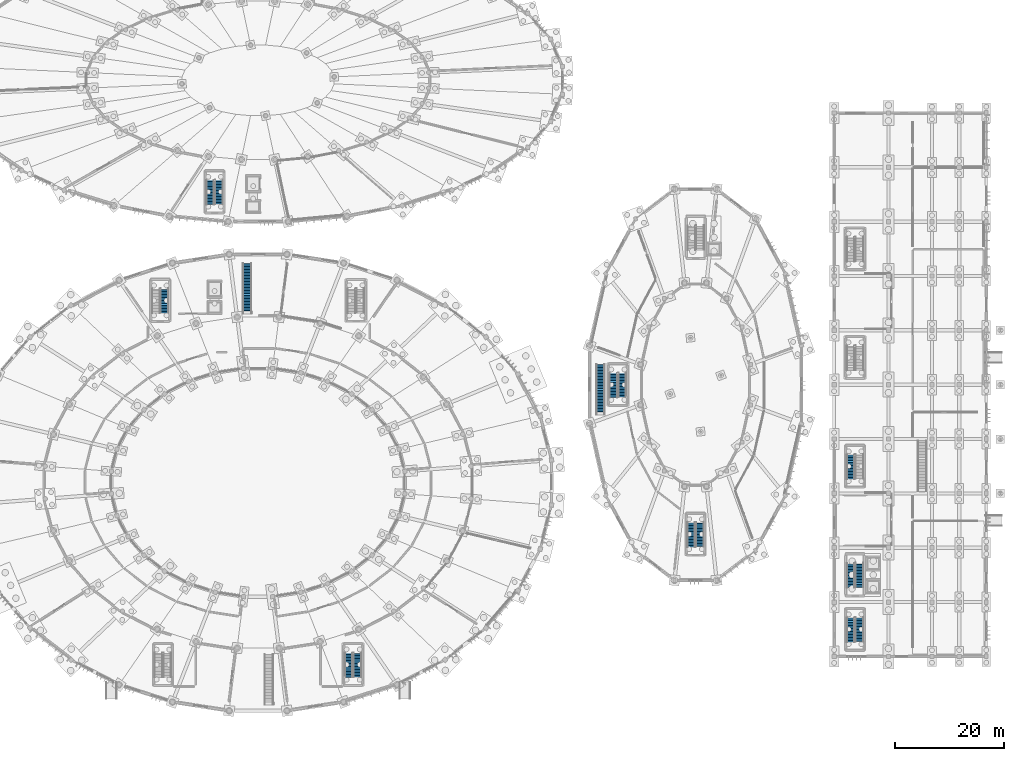
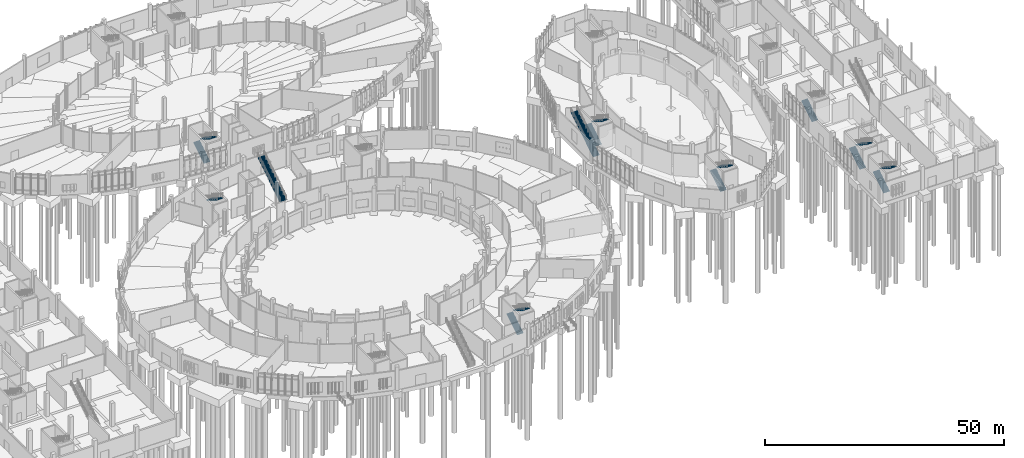
# One storey, part 97 of 140: 16 stair flights, 10 elements without a shape of their own.
"""IFC4 building model written with IfcOpenShell, lengths in metres."""

from ifc_helpers import new_model, si_unit, direction, frame, origin, place, context, subcontext, project, spatial, polyline, outline, extrude, material, layer, layer_set, type_object, element, aggregate, save


model = new_model("IFC4")

# Units and contexts
model_context = context("Model", 3, precision=1e-05, world=origin(), true_north=direction((0.0, 1.0)))
body_context = subcontext(model_context, "Body", "Model", "MODEL_VIEW")
ifc_project = project(units=[si_unit("LENGTHUNIT", "METRE"), si_unit("AREAUNIT", "SQUARE_METRE"), si_unit("VOLUMEUNIT", "CUBIC_METRE"), si_unit("PLANEANGLEUNIT", "RADIAN"), si_unit("MASSUNIT", "GRAM", prefix="KILO")], contexts=[model_context])

# Site, building, storey
site_placement = place(None, origin())
site = spatial("IfcSite", under=ifc_project, at=site_placement, CompositionType="ELEMENT")
building_placement = place(site_placement, origin())
building = spatial("IfcBuilding", under=site, at=building_placement, Name="Corvandel Quay Wholesale Market", CompositionType="ELEMENT")
storey_placement = place(building_placement, origin())
storey = spatial("IfcBuildingStorey", under=building, at=storey_placement, Name="L00", CompositionType="ELEMENT", Elevation=0.0)

# Stair, stair flight
ifc_material = material(Name="Concrete C40/50", Category="concrete")
stair_type_1 = type_object("IfcStairType", Name="Exit Stair Two-Return L00-L01 ST01", PredefinedType="USERDEFINED", material=ifc_material)
stair_1_placement = place(storey_placement, origin())
stair_1 = element("IfcStair", 1, at=stair_1_placement, inside=storey, type_object=stair_type_1, Name="Exit Stair STR-001", ObjectType="TWO_RETURN_STAIR", PredefinedType="USERDEFINED")
ifc_layer_1 = layer(ifc_material, 0.199951171875)
ifc_layer_set_1 = layer_set([ifc_layer_1], Name="Concrete C40/50")
stair_flight_type_1 = type_object("IfcStairFlightType", Name="Precast Stair Flight FL01 W1480", PredefinedType="STRAIGHT", material=ifc_layer_set_1)
stair_flight_1_placement = place(storey_placement, frame((96.800048828125, 77.699951171875, 3.0), z_axis=(0.0, 0.0, 1.0), x_axis=(0.0, -1.0, 0.0)))
stair_flight_1 = element("IfcStairFlight", 2, at=stair_flight_1_placement, type_object=stair_flight_type_1, Name="Stair Flight STR-001-F2", NumberOfRisers=17, NumberOfTreads=16, PredefinedType="STRAIGHT", RiserHeight=0.176471, TreadLength=0.28, context=body_context, shape_type="SweptSolid", body=[
    extrude(outline(polyline([(0.0, 0.0), (0.0, 0.176513671875), (0.280029296875, 0.176513671875), (0.280029296875, 0.35302734375), (0.56005859375, 0.35302734375), (0.56005859375, 0.529296875), (0.840087890625, 0.529296875), (0.840087890625, 0.705810546875), (1.1201171875, 0.705810546875), (1.1201171875, 0.88232421875), (1.39990234375, 0.88232421875), (1.39990234375, 1.058837890625), (1.679931640625, 1.058837890625), (1.679931640625, 1.2353515625), (1.9599609375, 1.2353515625), (1.9599609375, 1.411865234375), (2.239990234375, 1.411865234375), (2.239990234375, 1.588134765625), (2.52001953125, 1.588134765625), (2.52001953125, 1.7646484375), (2.800048828125, 1.7646484375), (2.800048828125, 1.941162109375), (3.080078125, 1.941162109375), (3.080078125, 2.11767578125), (3.360107421875, 2.11767578125), (3.360107421875, 2.294189453125), (3.639892578125, 2.294189453125), (3.639892578125, 2.470703125), (3.919921875, 2.470703125), (3.919921875, 2.64697265625), (4.199951171875, 2.64697265625), (4.199951171875, 2.823486328125), (4.47998046875, 2.823486328125), (4.47998046875, 3.0), (4.47998046875, 2.646240234375), (0.28125, 0.0), (0.0, 0.0)])), frame((0.0, 0.739990234375, 0.0), z_axis=(0.0, -1.0, 0.0), x_axis=(1.0, 0.0, 0.0)), (0.0, 0.0, 1.0), 1.47998046875),
])
aggregate(stair_1, [stair_flight_1])

# Stair, stair flights
stair_2_placement = place(storey_placement, origin())
stair_2 = element("IfcStair", 3, at=stair_2_placement, inside=storey, type_object=stair_type_1, Name="Exit Stair STR-007", ObjectType="TWO_RETURN_STAIR", PredefinedType="USERDEFINED")
stair_flight_2_placement = place(storey_placement, frame((130.699951171875, 6.14990234375, 0.0), z_axis=(0.0, 0.0, 1.0), x_axis=(0.0, 1.0, 0.0)))
stair_flight_2 = element("IfcStairFlight", 4, at=stair_flight_2_placement, type_object=stair_flight_type_1, Name="Stair Flight STR-007-F1", NumberOfRisers=17, NumberOfTreads=16, PredefinedType="STRAIGHT", RiserHeight=0.176471, TreadLength=0.28, context=body_context, shape_type="SweptSolid", body=[
    extrude(outline(polyline([(0.0, 0.0), (0.0, 0.176513671875), (0.280029296875, 0.176513671875), (0.280029296875, 0.35302734375), (0.56005859375, 0.35302734375), (0.56005859375, 0.529296875), (0.840087890625, 0.529296875), (0.840087890625, 0.705810546875), (1.1201171875, 0.705810546875), (1.1201171875, 0.88232421875), (1.39990234375, 0.88232421875), (1.39990234375, 1.058837890625), (1.679931640625, 1.058837890625), (1.679931640625, 1.2353515625), (1.9599609375, 1.2353515625), (1.9599609375, 1.411865234375), (2.239990234375, 1.411865234375), (2.239990234375, 1.588134765625), (2.52001953125, 1.588134765625), (2.52001953125, 1.7646484375), (2.800048828125, 1.7646484375), (2.800048828125, 1.941162109375), (3.080078125, 1.941162109375), (3.080078125, 2.11767578125), (3.360107421875, 2.11767578125), (3.360107421875, 2.294189453125), (3.639892578125, 2.294189453125), (3.639892578125, 2.470703125), (3.919921875, 2.470703125), (3.919921875, 2.64697265625), (4.199951171875, 2.64697265625), (4.199951171875, 2.823486328125), (4.47998046875, 2.823486328125), (4.47998046875, 3.0), (4.47998046875, 2.646240234375), (0.28125, 0.0), (0.0, 0.0)])), frame((0.0, 0.739990234375, 0.0), z_axis=(0.0, -1.0, 0.0), x_axis=(1.0, 0.0, 0.0)), (0.0, 0.0, 1.0), 1.47998046875),
])
stair_flight_3_placement = place(storey_placement, frame((132.300048828125, 10.699951171875, 3.0), z_axis=(0.0, 0.0, 1.0), x_axis=(0.0, -1.0, 0.0)))
stair_flight_3 = element("IfcStairFlight", 5, at=stair_flight_3_placement, type_object=stair_flight_type_1, Name="Stair Flight STR-007-F2", NumberOfRisers=17, NumberOfTreads=16, PredefinedType="STRAIGHT", RiserHeight=0.176471, TreadLength=0.28, context=body_context, shape_type="SweptSolid", body=[
    extrude(outline(polyline([(0.0, 0.0), (0.0, 0.176513671875), (0.280029296875, 0.176513671875), (0.280029296875, 0.35302734375), (0.56005859375, 0.35302734375), (0.56005859375, 0.529296875), (0.840087890625, 0.529296875), (0.840087890625, 0.705810546875), (1.1201171875, 0.705810546875), (1.1201171875, 0.88232421875), (1.39990234375, 0.88232421875), (1.39990234375, 1.058837890625), (1.679931640625, 1.058837890625), (1.679931640625, 1.2353515625), (1.9599609375, 1.2353515625), (1.9599609375, 1.411865234375), (2.239990234375, 1.411865234375), (2.239990234375, 1.588134765625), (2.52001953125, 1.588134765625), (2.52001953125, 1.7646484375), (2.800048828125, 1.7646484375), (2.800048828125, 1.941162109375), (3.080078125, 1.941162109375), (3.080078125, 2.11767578125), (3.360107421875, 2.11767578125), (3.360107421875, 2.294189453125), (3.639892578125, 2.294189453125), (3.639892578125, 2.470703125), (3.919921875, 2.470703125), (3.919921875, 2.64697265625), (4.199951171875, 2.64697265625), (4.199951171875, 2.823486328125), (4.47998046875, 2.823486328125), (4.47998046875, 3.0), (4.47998046875, 2.646240234375), (0.28125, 0.0), (0.0, 0.0)])), frame((0.0, 0.739990234375, 0.0), z_axis=(0.0, -1.0, 0.0), x_axis=(1.0, 0.0, 0.0)), (0.0, 0.0, 1.0), 1.47998046875),
])
aggregate(stair_2, [stair_flight_2, stair_flight_3])

stair_3_placement = place(storey_placement, origin())
stair_3 = element("IfcStair", 6, at=stair_3_placement, inside=storey, type_object=stair_type_1, Name="Exit Stair STR-009", ObjectType="TWO_RETURN_STAIR", PredefinedType="USERDEFINED")
stair_flight_4_placement = place(storey_placement, frame((105.199951171875, 93.14990234375, 0.0), z_axis=(0.0, 0.0, 1.0), x_axis=(0.0, 1.0, 0.0)))
stair_flight_4 = element("IfcStairFlight", 7, at=stair_flight_4_placement, type_object=stair_flight_type_1, Name="Stair Flight STR-009-F1", NumberOfRisers=17, NumberOfTreads=16, PredefinedType="STRAIGHT", RiserHeight=0.176471, TreadLength=0.28, context=body_context, shape_type="SweptSolid", body=[
    extrude(outline(polyline([(0.0, 0.0), (0.0, 0.176513671875), (0.280029296875, 0.176513671875), (0.280029296875, 0.35302734375), (0.56005859375, 0.35302734375), (0.56005859375, 0.529296875), (0.840087890625, 0.529296875), (0.840087890625, 0.705810546875), (1.1201171875, 0.705810546875), (1.1201171875, 0.88232421875), (1.39990234375, 0.88232421875), (1.39990234375, 1.058837890625), (1.679931640625, 1.058837890625), (1.679931640625, 1.2353515625), (1.9599609375, 1.2353515625), (1.9599609375, 1.411865234375), (2.239990234375, 1.411865234375), (2.239990234375, 1.588134765625), (2.52001953125, 1.588134765625), (2.52001953125, 1.7646484375), (2.800048828125, 1.7646484375), (2.800048828125, 1.941162109375), (3.080078125, 1.941162109375), (3.080078125, 2.11767578125), (3.360107421875, 2.11767578125), (3.360107421875, 2.294189453125), (3.639892578125, 2.294189453125), (3.639892578125, 2.470703125), (3.919921875, 2.470703125), (3.919921875, 2.64697265625), (4.199951171875, 2.64697265625), (4.199951171875, 2.823486328125), (4.47998046875, 2.823486328125), (4.47998046875, 3.0), (4.47998046875, 2.646240234375), (0.28125, 0.0), (0.0, 0.0)])), frame((0.0, 0.739990234375, 0.0), z_axis=(0.0, -1.0, 0.0), x_axis=(1.0, 0.0, 0.0)), (0.0, 0.0, 1.0), 1.47998046875),
])
stair_flight_5_placement = place(storey_placement, frame((106.800048828125, 97.699951171875, 3.0), z_axis=(0.0, 0.0, 1.0), x_axis=(0.0, -1.0, 0.0)))
stair_flight_5 = element("IfcStairFlight", 8, at=stair_flight_5_placement, type_object=stair_flight_type_1, Name="Stair Flight STR-009-F2", NumberOfRisers=17, NumberOfTreads=16, PredefinedType="STRAIGHT", RiserHeight=0.176471, TreadLength=0.28, context=body_context, shape_type="SweptSolid", body=[
    extrude(outline(polyline([(0.0, 0.0), (0.0, 0.176513671875), (0.280029296875, 0.176513671875), (0.280029296875, 0.35302734375), (0.56005859375, 0.35302734375), (0.56005859375, 0.529296875), (0.840087890625, 0.529296875), (0.840087890625, 0.705810546875), (1.1201171875, 0.705810546875), (1.1201171875, 0.88232421875), (1.39990234375, 0.88232421875), (1.39990234375, 1.058837890625), (1.679931640625, 1.058837890625), (1.679931640625, 1.2353515625), (1.9599609375, 1.2353515625), (1.9599609375, 1.411865234375), (2.239990234375, 1.411865234375), (2.239990234375, 1.588134765625), (2.52001953125, 1.588134765625), (2.52001953125, 1.7646484375), (2.800048828125, 1.7646484375), (2.800048828125, 1.941162109375), (3.080078125, 1.941162109375), (3.080078125, 2.11767578125), (3.360107421875, 2.11767578125), (3.360107421875, 2.294189453125), (3.639892578125, 2.294189453125), (3.639892578125, 2.470703125), (3.919921875, 2.470703125), (3.919921875, 2.64697265625), (4.199951171875, 2.64697265625), (4.199951171875, 2.823486328125), (4.47998046875, 2.823486328125), (4.47998046875, 3.0), (4.47998046875, 2.646240234375), (0.28125, 0.0), (0.0, 0.0)])), frame((0.0, 0.739990234375, 0.0), z_axis=(0.0, -1.0, 0.0), x_axis=(1.0, 0.0, 0.0)), (0.0, 0.0, 1.0), 1.47998046875),
])
aggregate(stair_3, [stair_flight_4, stair_flight_5])

stair_4_placement = place(storey_placement, origin())
stair_4 = element("IfcStair", 9, at=stair_4_placement, inside=storey, type_object=stair_type_1, Name="Exit Stair STR-015", ObjectType="TWO_RETURN_STAIR", PredefinedType="USERDEFINED")
stair_flight_6_placement = place(storey_placement, frame((193.699951171875, 30.14990234375, 0.0), z_axis=(0.0, 0.0, 1.0), x_axis=(0.0, 1.0, 0.0)))
stair_flight_6 = element("IfcStairFlight", 10, at=stair_flight_6_placement, type_object=stair_flight_type_1, Name="Stair Flight STR-015-F1", NumberOfRisers=17, NumberOfTreads=16, PredefinedType="STRAIGHT", RiserHeight=0.176471, TreadLength=0.28, context=body_context, shape_type="SweptSolid", body=[
    extrude(outline(polyline([(0.0, 0.0), (0.0, 0.176513671875), (0.280029296875, 0.176513671875), (0.280029296875, 0.35302734375), (0.56005859375, 0.35302734375), (0.56005859375, 0.529296875), (0.840087890625, 0.529296875), (0.840087890625, 0.705810546875), (1.1201171875, 0.705810546875), (1.1201171875, 0.88232421875), (1.39990234375, 0.88232421875), (1.39990234375, 1.058837890625), (1.679931640625, 1.058837890625), (1.679931640625, 1.2353515625), (1.9599609375, 1.2353515625), (1.9599609375, 1.411865234375), (2.239990234375, 1.411865234375), (2.239990234375, 1.588134765625), (2.52001953125, 1.588134765625), (2.52001953125, 1.7646484375), (2.800048828125, 1.7646484375), (2.800048828125, 1.941162109375), (3.080078125, 1.941162109375), (3.080078125, 2.11767578125), (3.360107421875, 2.11767578125), (3.360107421875, 2.294189453125), (3.639892578125, 2.294189453125), (3.639892578125, 2.470703125), (3.919921875, 2.470703125), (3.919921875, 2.64697265625), (4.199951171875, 2.64697265625), (4.199951171875, 2.823486328125), (4.47998046875, 2.823486328125), (4.47998046875, 3.0), (4.47998046875, 2.646240234375), (0.28125, 0.0), (0.0, 0.0)])), frame((0.0, 0.739990234375, 0.0), z_axis=(0.0, -1.0, 0.0), x_axis=(1.0, 0.0, 0.0)), (0.0, 0.0, 1.0), 1.47998046875),
])
stair_flight_7_placement = place(storey_placement, frame((195.300048828125, 34.699951171875, 3.0), z_axis=(0.0, 0.0, 1.0), x_axis=(0.0, -1.0, 0.0)))
stair_flight_7 = element("IfcStairFlight", 11, at=stair_flight_7_placement, type_object=stair_flight_type_1, Name="Stair Flight STR-015-F2", NumberOfRisers=17, NumberOfTreads=16, PredefinedType="STRAIGHT", RiserHeight=0.176471, TreadLength=0.28, context=body_context, shape_type="SweptSolid", body=[
    extrude(outline(polyline([(0.0, 0.0), (0.0, 0.176513671875), (0.280029296875, 0.176513671875), (0.280029296875, 0.35302734375), (0.56005859375, 0.35302734375), (0.56005859375, 0.529296875), (0.840087890625, 0.529296875), (0.840087890625, 0.705810546875), (1.1201171875, 0.705810546875), (1.1201171875, 0.88232421875), (1.39990234375, 0.88232421875), (1.39990234375, 1.058837890625), (1.679931640625, 1.058837890625), (1.679931640625, 1.2353515625), (1.9599609375, 1.2353515625), (1.9599609375, 1.411865234375), (2.239990234375, 1.411865234375), (2.239990234375, 1.588134765625), (2.52001953125, 1.588134765625), (2.52001953125, 1.7646484375), (2.800048828125, 1.7646484375), (2.800048828125, 1.941162109375), (3.080078125, 1.941162109375), (3.080078125, 2.11767578125), (3.360107421875, 2.11767578125), (3.360107421875, 2.294189453125), (3.639892578125, 2.294189453125), (3.639892578125, 2.470703125), (3.919921875, 2.470703125), (3.919921875, 2.64697265625), (4.199951171875, 2.64697265625), (4.199951171875, 2.823486328125), (4.47998046875, 2.823486328125), (4.47998046875, 3.0), (4.47998046875, 2.646240234375), (0.28125, 0.0), (0.0, 0.0)])), frame((0.0, 0.739990234375, 0.0), z_axis=(0.0, -1.0, 0.0), x_axis=(1.0, 0.0, 0.0)), (0.0, 0.0, 1.0), 1.47998046875),
])
aggregate(stair_4, [stair_flight_6, stair_flight_7])

stair_5_placement = place(storey_placement, origin())
stair_5 = element("IfcStair", 12, at=stair_5_placement, inside=storey, type_object=stair_type_1, Name="Exit Stair STR-017", ObjectType="TWO_RETURN_STAIR", PredefinedType="USERDEFINED")
stair_flight_8_placement = place(storey_placement, frame((179.39990234375, 57.64990234375, 0.0), z_axis=(0.0, 0.0, 1.0), x_axis=(0.0, 1.0, 0.0)))
stair_flight_8 = element("IfcStairFlight", 13, at=stair_flight_8_placement, type_object=stair_flight_type_1, Name="Stair Flight STR-017-F1", NumberOfRisers=17, NumberOfTreads=16, PredefinedType="STRAIGHT", RiserHeight=0.176471, TreadLength=0.28, context=body_context, shape_type="SweptSolid", body=[
    extrude(outline(polyline([(0.0, 0.0), (0.0, 0.176513671875), (0.280029296875, 0.176513671875), (0.280029296875, 0.35302734375), (0.56005859375, 0.35302734375), (0.56005859375, 0.529296875), (0.840087890625, 0.529296875), (0.840087890625, 0.705810546875), (1.1201171875, 0.705810546875), (1.1201171875, 0.88232421875), (1.39990234375, 0.88232421875), (1.39990234375, 1.058837890625), (1.679931640625, 1.058837890625), (1.679931640625, 1.2353515625), (1.9599609375, 1.2353515625), (1.9599609375, 1.411865234375), (2.239990234375, 1.411865234375), (2.239990234375, 1.588134765625), (2.52001953125, 1.588134765625), (2.52001953125, 1.7646484375), (2.800048828125, 1.7646484375), (2.800048828125, 1.941162109375), (3.080078125, 1.941162109375), (3.080078125, 2.11767578125), (3.360107421875, 2.11767578125), (3.360107421875, 2.294189453125), (3.639892578125, 2.294189453125), (3.639892578125, 2.470703125), (3.919921875, 2.470703125), (3.919921875, 2.64697265625), (4.199951171875, 2.64697265625), (4.199951171875, 2.823486328125), (4.47998046875, 2.823486328125), (4.47998046875, 3.0), (4.47998046875, 2.646240234375), (0.28125, 0.0), (0.0, 0.0)])), frame((0.0, 0.739990234375, 0.0), z_axis=(0.0, -1.0, 0.0), x_axis=(1.0, 0.0, 0.0)), (0.0, 0.0, 1.0), 1.47998046875),
])
stair_flight_9_placement = place(storey_placement, frame((181.0, 62.199951171875, 3.0), z_axis=(0.0, 0.0, 1.0), x_axis=(0.0, -1.0, 0.0)))
stair_flight_9 = element("IfcStairFlight", 14, at=stair_flight_9_placement, type_object=stair_flight_type_1, Name="Stair Flight STR-017-F2", NumberOfRisers=17, NumberOfTreads=16, PredefinedType="STRAIGHT", RiserHeight=0.176471, TreadLength=0.28, context=body_context, shape_type="SweptSolid", body=[
    extrude(outline(polyline([(0.0, 0.0), (0.0, 0.176513671875), (0.280029296875, 0.176513671875), (0.280029296875, 0.35302734375), (0.56005859375, 0.35302734375), (0.56005859375, 0.529296875), (0.840087890625, 0.529296875), (0.840087890625, 0.705810546875), (1.1201171875, 0.705810546875), (1.1201171875, 0.88232421875), (1.39990234375, 0.88232421875), (1.39990234375, 1.058837890625), (1.679931640625, 1.058837890625), (1.679931640625, 1.2353515625), (1.9599609375, 1.2353515625), (1.9599609375, 1.411865234375), (2.239990234375, 1.411865234375), (2.239990234375, 1.588134765625), (2.52001953125, 1.588134765625), (2.52001953125, 1.7646484375), (2.800048828125, 1.7646484375), (2.800048828125, 1.941162109375), (3.080078125, 1.941162109375), (3.080078125, 2.11767578125), (3.360107421875, 2.11767578125), (3.360107421875, 2.294189453125), (3.639892578125, 2.294189453125), (3.639892578125, 2.470703125), (3.919921875, 2.470703125), (3.919921875, 2.64697265625), (4.199951171875, 2.64697265625), (4.199951171875, 2.823486328125), (4.47998046875, 2.823486328125), (4.47998046875, 3.0), (4.47998046875, 2.646240234375), (0.28125, 0.0), (0.0, 0.0)])), frame((0.0, 0.739990234375, 0.0), z_axis=(0.0, -1.0, 0.0), x_axis=(1.0, 0.0, 0.0)), (0.0, 0.0, 1.0), 1.47998046875),
])
aggregate(stair_5, [stair_flight_8, stair_flight_9])

stair_6_placement = place(storey_placement, origin())
stair_6 = element("IfcStair", 15, at=stair_6_placement, inside=storey, type_object=stair_type_1, Name="Exit Stair STR-026", ObjectType="TWO_RETURN_STAIR", PredefinedType="USERDEFINED")
stair_flight_10_placement = place(storey_placement, frame((223.050048828125, 22.64990234375, 0.0), z_axis=(0.0, 0.0, 1.0), x_axis=(0.0, 1.0, 0.0)))
stair_flight_10 = element("IfcStairFlight", 16, at=stair_flight_10_placement, type_object=stair_flight_type_1, Name="Stair Flight STR-026-F1", NumberOfRisers=17, NumberOfTreads=16, PredefinedType="STRAIGHT", RiserHeight=0.176471, TreadLength=0.28, context=body_context, shape_type="SweptSolid", body=[
    extrude(outline(polyline([(0.0, 0.0), (0.0, 0.176513671875), (0.280029296875, 0.176513671875), (0.280029296875, 0.35302734375), (0.56005859375, 0.35302734375), (0.56005859375, 0.529296875), (0.840087890625, 0.529296875), (0.840087890625, 0.705810546875), (1.1201171875, 0.705810546875), (1.1201171875, 0.88232421875), (1.39990234375, 0.88232421875), (1.39990234375, 1.058837890625), (1.679931640625, 1.058837890625), (1.679931640625, 1.2353515625), (1.9599609375, 1.2353515625), (1.9599609375, 1.411865234375), (2.239990234375, 1.411865234375), (2.239990234375, 1.588134765625), (2.52001953125, 1.588134765625), (2.52001953125, 1.7646484375), (2.800048828125, 1.7646484375), (2.800048828125, 1.941162109375), (3.080078125, 1.941162109375), (3.080078125, 2.11767578125), (3.360107421875, 2.11767578125), (3.360107421875, 2.294189453125), (3.639892578125, 2.294189453125), (3.639892578125, 2.470703125), (3.919921875, 2.470703125), (3.919921875, 2.64697265625), (4.199951171875, 2.64697265625), (4.199951171875, 2.823486328125), (4.47998046875, 2.823486328125), (4.47998046875, 3.0), (4.47998046875, 2.646240234375), (0.28125, 0.0), (0.0, 0.0)])), frame((0.0, 0.739990234375, 0.0), z_axis=(0.0, -1.0, 0.0), x_axis=(1.0, 0.0, 0.0)), (0.0, 0.0, 1.0), 1.47998046875),
])
stair_flight_11_placement = place(storey_placement, frame((224.64990234375, 27.199951171875, 3.0), z_axis=(0.0, 0.0, 1.0), x_axis=(0.0, -1.0, 0.0)))
stair_flight_11 = element("IfcStairFlight", 17, at=stair_flight_11_placement, type_object=stair_flight_type_1, Name="Stair Flight STR-026-F2", NumberOfRisers=17, NumberOfTreads=16, PredefinedType="STRAIGHT", RiserHeight=0.176471, TreadLength=0.28, context=body_context, shape_type="SweptSolid", body=[
    extrude(outline(polyline([(0.0, 0.0), (0.0, 0.176513671875), (0.280029296875, 0.176513671875), (0.280029296875, 0.35302734375), (0.56005859375, 0.35302734375), (0.56005859375, 0.529296875), (0.840087890625, 0.529296875), (0.840087890625, 0.705810546875), (1.1201171875, 0.705810546875), (1.1201171875, 0.88232421875), (1.39990234375, 0.88232421875), (1.39990234375, 1.058837890625), (1.679931640625, 1.058837890625), (1.679931640625, 1.2353515625), (1.9599609375, 1.2353515625), (1.9599609375, 1.411865234375), (2.239990234375, 1.411865234375), (2.239990234375, 1.588134765625), (2.52001953125, 1.588134765625), (2.52001953125, 1.7646484375), (2.800048828125, 1.7646484375), (2.800048828125, 1.941162109375), (3.080078125, 1.941162109375), (3.080078125, 2.11767578125), (3.360107421875, 2.11767578125), (3.360107421875, 2.294189453125), (3.639892578125, 2.294189453125), (3.639892578125, 2.470703125), (3.919921875, 2.470703125), (3.919921875, 2.64697265625), (4.199951171875, 2.64697265625), (4.199951171875, 2.823486328125), (4.47998046875, 2.823486328125), (4.47998046875, 3.0), (4.47998046875, 2.646240234375), (0.28125, 0.0), (0.0, 0.0)])), frame((0.0, 0.739990234375, 0.0), z_axis=(0.0, -1.0, 0.0), x_axis=(1.0, 0.0, 0.0)), (0.0, 0.0, 1.0), 1.47998046875),
])
aggregate(stair_6, [stair_flight_10, stair_flight_11])

# Stair, stair flight
stair_7_placement = place(storey_placement, origin())
stair_7 = element("IfcStair", 18, at=stair_7_placement, inside=storey, type_object=stair_type_1, Name="Exit Stair STR-029", ObjectType="TWO_RETURN_STAIR", PredefinedType="USERDEFINED")
stair_flight_12_placement = place(storey_placement, frame((223.050048828125, 42.64990234375, 0.0), z_axis=(0.0, 0.0, 1.0), x_axis=(0.0, 1.0, 0.0)))
stair_flight_12 = element("IfcStairFlight", 19, at=stair_flight_12_placement, type_object=stair_flight_type_1, Name="Stair Flight STR-029-F1", NumberOfRisers=17, NumberOfTreads=16, PredefinedType="STRAIGHT", RiserHeight=0.176471, TreadLength=0.28, context=body_context, shape_type="SweptSolid", body=[
    extrude(outline(polyline([(0.0, 0.0), (0.0, 0.176513671875), (0.280029296875, 0.176513671875), (0.280029296875, 0.35302734375), (0.56005859375, 0.35302734375), (0.56005859375, 0.529296875), (0.840087890625, 0.529296875), (0.840087890625, 0.705810546875), (1.1201171875, 0.705810546875), (1.1201171875, 0.88232421875), (1.39990234375, 0.88232421875), (1.39990234375, 1.058837890625), (1.679931640625, 1.058837890625), (1.679931640625, 1.2353515625), (1.9599609375, 1.2353515625), (1.9599609375, 1.411865234375), (2.239990234375, 1.411865234375), (2.239990234375, 1.588134765625), (2.52001953125, 1.588134765625), (2.52001953125, 1.7646484375), (2.800048828125, 1.7646484375), (2.800048828125, 1.941162109375), (3.080078125, 1.941162109375), (3.080078125, 2.11767578125), (3.360107421875, 2.11767578125), (3.360107421875, 2.294189453125), (3.639892578125, 2.294189453125), (3.639892578125, 2.470703125), (3.919921875, 2.470703125), (3.919921875, 2.64697265625), (4.199951171875, 2.64697265625), (4.199951171875, 2.823486328125), (4.47998046875, 2.823486328125), (4.47998046875, 3.0), (4.47998046875, 2.646240234375), (0.28125, 0.0), (0.0, 0.0)])), frame((0.0, 0.739990234375, 0.0), z_axis=(0.0, -1.0, 0.0), x_axis=(1.0, 0.0, 0.0)), (0.0, 0.0, 1.0), 1.47998046875),
])
aggregate(stair_7, [stair_flight_12])

# Stair, stair flights
stair_8_placement = place(storey_placement, origin())
stair_8 = element("IfcStair", 20, at=stair_8_placement, inside=storey, type_object=stair_type_1, Name="Exit Stair STR-035", ObjectType="TWO_RETURN_STAIR", PredefinedType="USERDEFINED")
stair_flight_13_placement = place(storey_placement, frame((223.050048828125, 12.64990234375, 0.0), z_axis=(0.0, 0.0, 1.0), x_axis=(0.0, 1.0, 0.0)))
stair_flight_13 = element("IfcStairFlight", 21, at=stair_flight_13_placement, type_object=stair_flight_type_1, Name="Stair Flight STR-035-F1", NumberOfRisers=17, NumberOfTreads=16, PredefinedType="STRAIGHT", RiserHeight=0.176471, TreadLength=0.28, context=body_context, shape_type="SweptSolid", body=[
    extrude(outline(polyline([(0.0, 0.0), (0.0, 0.176513671875), (0.280029296875, 0.176513671875), (0.280029296875, 0.35302734375), (0.56005859375, 0.35302734375), (0.56005859375, 0.529296875), (0.840087890625, 0.529296875), (0.840087890625, 0.705810546875), (1.1201171875, 0.705810546875), (1.1201171875, 0.88232421875), (1.39990234375, 0.88232421875), (1.39990234375, 1.058837890625), (1.679931640625, 1.058837890625), (1.679931640625, 1.2353515625), (1.9599609375, 1.2353515625), (1.9599609375, 1.411865234375), (2.239990234375, 1.411865234375), (2.239990234375, 1.588134765625), (2.52001953125, 1.588134765625), (2.52001953125, 1.7646484375), (2.800048828125, 1.7646484375), (2.800048828125, 1.941162109375), (3.080078125, 1.941162109375), (3.080078125, 2.11767578125), (3.360107421875, 2.11767578125), (3.360107421875, 2.294189453125), (3.639892578125, 2.294189453125), (3.639892578125, 2.470703125), (3.919921875, 2.470703125), (3.919921875, 2.64697265625), (4.199951171875, 2.64697265625), (4.199951171875, 2.823486328125), (4.47998046875, 2.823486328125), (4.47998046875, 3.0), (4.47998046875, 2.646240234375), (0.28125, 0.0), (0.0, 0.0)])), frame((0.0, 0.739990234375, 0.0), z_axis=(0.0, -1.0, 0.0), x_axis=(1.0, 0.0, 0.0)), (0.0, 0.0, 1.0), 1.47998046875),
])
stair_flight_14_placement = place(storey_placement, frame((224.64990234375, 17.199951171875, 3.0), z_axis=(0.0, 0.0, 1.0), x_axis=(0.0, -1.0, 0.0)))
stair_flight_14 = element("IfcStairFlight", 22, at=stair_flight_14_placement, type_object=stair_flight_type_1, Name="Stair Flight STR-035-F2", NumberOfRisers=17, NumberOfTreads=16, PredefinedType="STRAIGHT", RiserHeight=0.176471, TreadLength=0.28, context=body_context, shape_type="SweptSolid", body=[
    extrude(outline(polyline([(0.0, 0.0), (0.0, 0.176513671875), (0.280029296875, 0.176513671875), (0.280029296875, 0.35302734375), (0.56005859375, 0.35302734375), (0.56005859375, 0.529296875), (0.840087890625, 0.529296875), (0.840087890625, 0.705810546875), (1.1201171875, 0.705810546875), (1.1201171875, 0.88232421875), (1.39990234375, 0.88232421875), (1.39990234375, 1.058837890625), (1.679931640625, 1.058837890625), (1.679931640625, 1.2353515625), (1.9599609375, 1.2353515625), (1.9599609375, 1.411865234375), (2.239990234375, 1.411865234375), (2.239990234375, 1.588134765625), (2.52001953125, 1.588134765625), (2.52001953125, 1.7646484375), (2.800048828125, 1.7646484375), (2.800048828125, 1.941162109375), (3.080078125, 1.941162109375), (3.080078125, 2.11767578125), (3.360107421875, 2.11767578125), (3.360107421875, 2.294189453125), (3.639892578125, 2.294189453125), (3.639892578125, 2.470703125), (3.919921875, 2.470703125), (3.919921875, 2.64697265625), (4.199951171875, 2.64697265625), (4.199951171875, 2.823486328125), (4.47998046875, 2.823486328125), (4.47998046875, 3.0), (4.47998046875, 2.646240234375), (0.28125, 0.0), (0.0, 0.0)])), frame((0.0, 0.739990234375, 0.0), z_axis=(0.0, -1.0, 0.0), x_axis=(1.0, 0.0, 0.0)), (0.0, 0.0, 1.0), 1.47998046875),
])
aggregate(stair_8, [stair_flight_13, stair_flight_14])

# Stair, stair flight
stair_type_2 = type_object("IfcStairType", Name="Gallery Feature Straight Stair ST04 W1600", PredefinedType="STRAIGHT_RUN_STAIR", material=ifc_material)
stair_9_placement = place(storey_placement, origin())
stair_9 = element("IfcStair", 23, at=stair_9_placement, inside=storey, type_object=stair_type_2, Name="Straight Stair STR-041", PredefinedType="STRAIGHT_RUN_STAIR")
ifc_layer_2 = layer(ifc_material, 0.199951171875)
ifc_layer_set_2 = layer_set([ifc_layer_2], Name="Concrete C40/50")
stair_flight_type_2 = type_object("IfcStairFlightType", Name="Straight Stair Flight FL04 W1600", PredefinedType="STRAIGHT", material=ifc_layer_set_2)
stair_flight_15_placement = place(storey_placement, frame((112.0, 73.10009765625, 0.0), z_axis=(0.0, 0.0, 1.0), x_axis=(0.0, 1.0, 0.0)))
stair_flight_15 = element("IfcStairFlight", 24, at=stair_flight_15_placement, type_object=stair_flight_type_2, Name="Straight Flight STR-041-F1", NumberOfRisers=34, NumberOfTreads=33, PredefinedType="STRAIGHT", RiserHeight=0.176471, TreadLength=0.28, context=body_context, shape_type="SweptSolid", body=[
    extrude(outline(polyline([(0.0, 0.0), (0.0, 0.176513671875), (0.280029296875, 0.176513671875), (0.280029296875, 0.35302734375), (0.56005859375, 0.35302734375), (0.56005859375, 0.529296875), (0.840087890625, 0.529296875), (0.840087890625, 0.705810546875), (1.1201171875, 0.705810546875), (1.1201171875, 0.88232421875), (1.39990234375, 0.88232421875), (1.39990234375, 1.058837890625), (1.679931640625, 1.058837890625), (1.679931640625, 1.2353515625), (1.9599609375, 1.2353515625), (1.9599609375, 1.411865234375), (2.239990234375, 1.411865234375), (2.239990234375, 1.588134765625), (2.52001953125, 1.588134765625), (2.52001953125, 1.7646484375), (2.800048828125, 1.7646484375), (2.800048828125, 1.941162109375), (3.080078125, 1.941162109375), (3.080078125, 2.11767578125), (3.360107421875, 2.11767578125), (3.360107421875, 2.294189453125), (3.639892578125, 2.294189453125), (3.639892578125, 2.470703125), (3.919921875, 2.470703125), (3.919921875, 2.64697265625), (4.199951171875, 2.64697265625), (4.199951171875, 2.823486328125), (4.47998046875, 2.823486328125), (4.47998046875, 3.0), (4.760009765625, 3.0), (4.760009765625, 3.176513671875), (5.0400390625, 3.176513671875), (5.0400390625, 3.35302734375), (5.320068359375, 3.35302734375), (5.320068359375, 3.529541015625), (5.60009765625, 3.529541015625), (5.60009765625, 3.705810546875), (5.8798828125, 3.705810546875), (5.8798828125, 3.88232421875), (6.159912109375, 3.88232421875), (6.159912109375, 4.058837890625), (6.43994140625, 4.058837890625), (6.43994140625, 4.2353515625), (6.719970703125, 4.2353515625), (6.719970703125, 4.411865234375), (7.0, 4.411865234375), (7.0, 4.588134765625), (7.280029296875, 4.588134765625), (7.280029296875, 4.7646484375), (7.56005859375, 4.7646484375), (7.56005859375, 4.941162109375), (7.840087890625, 4.941162109375), (7.840087890625, 5.11767578125), (8.1201171875, 5.11767578125), (8.1201171875, 5.294189453125), (8.39990234375, 5.294189453125), (8.39990234375, 5.470703125), (8.679931640625, 5.470703125), (8.679931640625, 5.64697265625), (8.9599609375, 5.64697265625), (8.9599609375, 5.823486328125), (9.239990234375, 5.823486328125), (9.239990234375, 6.0), (9.239990234375, 5.646240234375), (0.28125, 0.0), (0.0, 0.0)])), frame((0.0, 0.800048828125, 0.0), z_axis=(0.0, -1.0, 0.0), x_axis=(1.0, 0.0, 0.0)), (0.0, 0.0, 1.0), 1.60009765625),
])
aggregate(stair_9, [stair_flight_15])

stair_type_3 = type_object("IfcStairType", Name="Auction Feature Straight Stair ST05 W1550", PredefinedType="STRAIGHT_RUN_STAIR", material=ifc_material)
stair_10_placement = place(storey_placement, origin())
stair_10 = element("IfcStair", 25, at=stair_10_placement, inside=storey, type_object=stair_type_3, Name="Straight Stair STR-043", PredefinedType="STRAIGHT_RUN_STAIR")
ifc_layer_3 = layer(ifc_material, 0.199951171875)
ifc_layer_set_3 = layer_set([ifc_layer_3], Name="Concrete C40/50")
stair_flight_type_3 = type_object("IfcStairFlightType", Name="Straight Stair Flight FL05 W1550", PredefinedType="STRAIGHT", material=ifc_layer_set_3)
stair_flight_16_placement = place(storey_placement, frame((177.0, 54.5, 0.0), z_axis=(0.0, 0.0, 1.0), x_axis=(0.0, 1.0, 0.0)))
stair_flight_16 = element("IfcStairFlight", 26, at=stair_flight_16_placement, type_object=stair_flight_type_3, Name="Straight Flight STR-043-F1", NumberOfRisers=34, NumberOfTreads=33, PredefinedType="STRAIGHT", RiserHeight=0.176471, TreadLength=0.28, context=body_context, shape_type="SweptSolid", body=[
    extrude(outline(polyline([(0.0, 0.0), (0.0, 0.176513671875), (0.280029296875, 0.176513671875), (0.280029296875, 0.35302734375), (0.56005859375, 0.35302734375), (0.56005859375, 0.529296875), (0.840087890625, 0.529296875), (0.840087890625, 0.705810546875), (1.1201171875, 0.705810546875), (1.1201171875, 0.88232421875), (1.39990234375, 0.88232421875), (1.39990234375, 1.058837890625), (1.679931640625, 1.058837890625), (1.679931640625, 1.2353515625), (1.9599609375, 1.2353515625), (1.9599609375, 1.411865234375), (2.239990234375, 1.411865234375), (2.239990234375, 1.588134765625), (2.52001953125, 1.588134765625), (2.52001953125, 1.7646484375), (2.800048828125, 1.7646484375), (2.800048828125, 1.941162109375), (3.080078125, 1.941162109375), (3.080078125, 2.11767578125), (3.360107421875, 2.11767578125), (3.360107421875, 2.294189453125), (3.639892578125, 2.294189453125), (3.639892578125, 2.470703125), (3.919921875, 2.470703125), (3.919921875, 2.64697265625), (4.199951171875, 2.64697265625), (4.199951171875, 2.823486328125), (4.47998046875, 2.823486328125), (4.47998046875, 3.0), (4.760009765625, 3.0), (4.760009765625, 3.176513671875), (5.0400390625, 3.176513671875), (5.0400390625, 3.35302734375), (5.320068359375, 3.35302734375), (5.320068359375, 3.529541015625), (5.60009765625, 3.529541015625), (5.60009765625, 3.705810546875), (5.8798828125, 3.705810546875), (5.8798828125, 3.88232421875), (6.159912109375, 3.88232421875), (6.159912109375, 4.058837890625), (6.43994140625, 4.058837890625), (6.43994140625, 4.2353515625), (6.719970703125, 4.2353515625), (6.719970703125, 4.411865234375), (7.0, 4.411865234375), (7.0, 4.588134765625), (7.280029296875, 4.588134765625), (7.280029296875, 4.7646484375), (7.56005859375, 4.7646484375), (7.56005859375, 4.941162109375), (7.840087890625, 4.941162109375), (7.840087890625, 5.11767578125), (8.1201171875, 5.11767578125), (8.1201171875, 5.294189453125), (8.39990234375, 5.294189453125), (8.39990234375, 5.470703125), (8.679931640625, 5.470703125), (8.679931640625, 5.64697265625), (8.9599609375, 5.64697265625), (8.9599609375, 5.823486328125), (9.239990234375, 5.823486328125), (9.239990234375, 6.0), (9.239990234375, 5.646240234375), (0.28125, 0.0), (0.0, 0.0)])), frame((0.0, 0.77490234375, 0.0), z_axis=(0.0, -1.0, 0.0), x_axis=(1.0, 0.0, 0.0)), (0.0, 0.0, 1.0), 1.550048828125),
])
aggregate(stair_10, [stair_flight_16])

save(model, "model.ifc")
